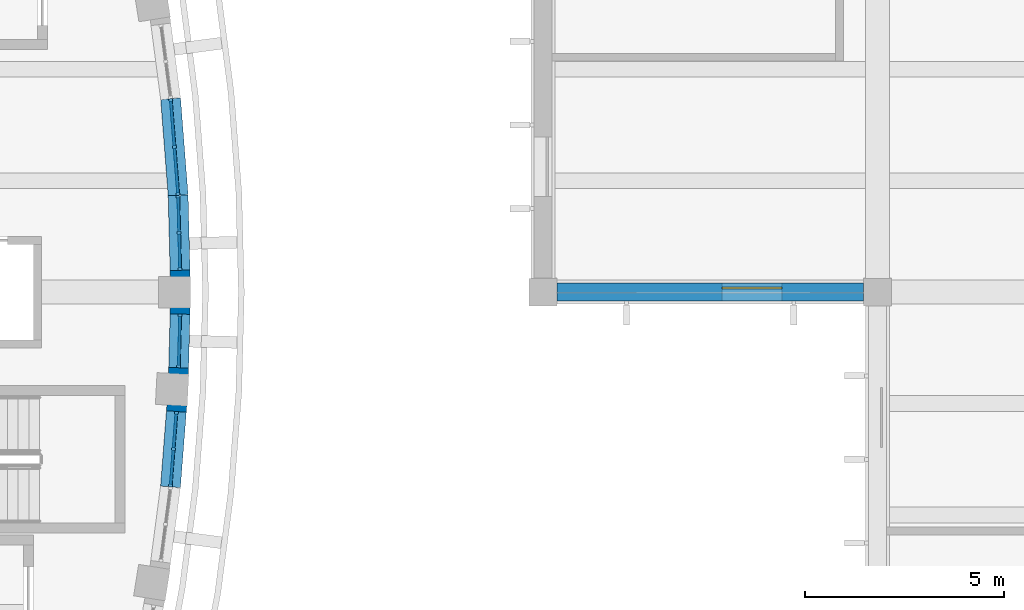
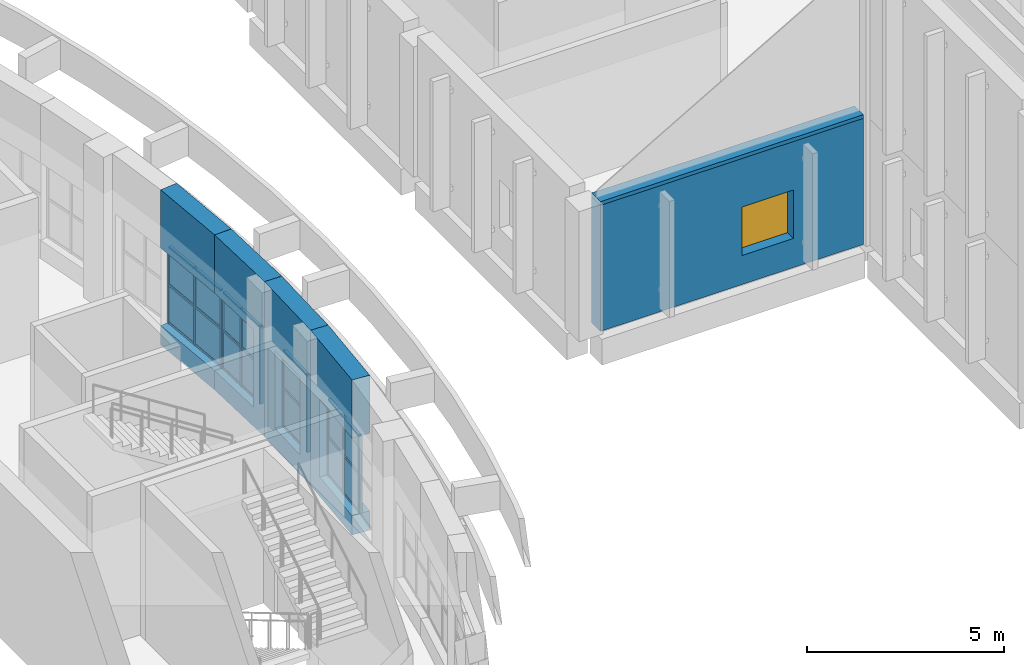
# One storey, part 42 of 79: 32 members, 14 plates, 6 walls, 1 window, 5 openings, 4 elements without a shape of their own.
"""IFC4 building model written with IfcOpenShell, lengths in metres."""

import ifcopenshell
import ifcopenshell.guid

model = None  # the IFC model being written
_history = None  # IfcOwnerHistory: only IFC2X3 demands one
_inside = {}  # id of a spatial element -> (the spatial element, [elements in it])
_under = {}  # id of a project, library or spatial element -> (it, [spatial elements below it])
_declared = {}  # id of a project -> (the project, [libraries it declares])
_typed = {}  # id of a type object -> (the type object, [elements of that type])
_made_of = {}  # id of a material, layer set ... -> (it, [elements and type objects made of it])


def new_model(schema):
    """Start an empty IFC model of exactly this schema.

    Asked for "IFC4X3", IfcOpenShell would pick the latest addendum, in which some entities
    have other attributes; the version numbers below select the first issue.
    IFC2X3 requires an IfcOwnerHistory on every rooted entity: one is made here for all.
    """
    global model, _history
    if schema == "IFC4X3":
        model = ifcopenshell.file(schema_version=(4, 3, 0, 0))
    else:
        model = ifcopenshell.file(schema=schema)
    _inside.clear()
    _under.clear()
    _declared.clear()
    _typed.clear()
    _made_of.clear()
    _history = None
    if model.schema == "IFC2X3":
        org = make("IfcOrganization", Name="unknown")
        user = make(
            "IfcPersonAndOrganization",
            ThePerson=make("IfcPerson", FamilyName="unknown"),
            TheOrganization=org,
        )
        app = make(
            "IfcApplication",
            ApplicationDeveloper=org,
            Version="unknown",
            ApplicationFullName="unknown",
            ApplicationIdentifier="unknown",
        )
        _history = make(
            "IfcOwnerHistory",
            OwningUser=user,
            OwningApplication=app,
            ChangeAction="ADDED",
            CreationDate=0,
        )
    return model


def make(cls, **values):
    """One entity of the class cls with the attributes given. An attribute that is None is left unset."""
    return model.create_entity(
        cls, **{name: value for name, value in values.items() if value is not None}
    )


def rooted(cls, **values):
    """An entity with a GlobalId (a new one), such as an element, a storey or a relation."""
    return make(cls, GlobalId=ifcopenshell.guid.new(), OwnerHistory=_history, **values)


def si_unit(unit_type, name, prefix=None):
    """IfcSIUnit, for example si_unit("LENGTHUNIT", "METRE", prefix="MILLI")."""
    return make("IfcSIUnit", UnitType=unit_type, Prefix=prefix, Name=name)


def assignment(units):
    """IfcUnitAssignment: the units of a project."""
    return None if units is None else make("IfcUnitAssignment", Units=units)


def point(xyz):
    """IfcCartesianPoint."""
    return None if xyz is None else make("IfcCartesianPoint", Coordinates=xyz)


def direction(xyz):
    """IfcDirection."""
    return None if xyz is None else make("IfcDirection", DirectionRatios=xyz)


def frame(location, z_axis=None, x_axis=None):
    """IfcAxis2Placement3D, a coordinate frame: its origin and axes. An axis left out is left unset."""
    return make(
        "IfcAxis2Placement3D",
        Location=point(location),
        Axis=direction(z_axis),
        RefDirection=direction(x_axis),
    )


def frame_2d(location, x_axis=None):
    """IfcAxis2Placement2D, a coordinate frame in the plane: its origin and x axis."""
    return make(
        "IfcAxis2Placement2D", Location=point(location), RefDirection=direction(x_axis)
    )


def origin():
    """The frame at (0, 0, 0) with its axes left unset."""
    return frame((0.0, 0.0, 0.0))


def origin_2d():
    """The frame at (0, 0) in the plane with its x axis left unset."""
    return frame_2d((0.0, 0.0))


def place(relative_to, where):
    """IfcLocalPlacement: puts the frame where relative to a parent placement (None: the world)."""
    return make(
        "IfcLocalPlacement", PlacementRelTo=relative_to, RelativePlacement=where
    )


def context(
    kind, dimensions, precision=None, world=None, true_north=None, identifier=None
):
    """IfcGeometricRepresentationContext, for example the 3D "Model" context."""
    return make(
        "IfcGeometricRepresentationContext",
        ContextIdentifier=identifier,
        ContextType=kind,
        CoordinateSpaceDimension=dimensions,
        Precision=precision,
        WorldCoordinateSystem=world,
        TrueNorth=true_north,
    )


def subcontext(parent, identifier, kind, view, scale=None):
    """IfcGeometricRepresentationSubContext, for example "Body" below "Model"."""
    return make(
        "IfcGeometricRepresentationSubContext",
        ContextIdentifier=identifier,
        ContextType=kind,
        ParentContext=parent,
        TargetScale=scale,
        TargetView=view,
    )


def project(units=None, contexts=None):
    """IfcProject with its units and contexts."""
    return rooted(
        "IfcProject",
        Name="project",
        RepresentationContexts=contexts,
        UnitsInContext=assignment(units),
    )


def spatial(cls, under=None, at=None, **own):
    """A site, building, storey or space (cls), placed at a placement, below another one or the project."""
    s = rooted(cls, ObjectPlacement=at, **own)
    if under is not None:
        _under.setdefault(under.id(), (under, []))[1].append(s)
    return s


def profile(cls, at=None, kind="AREA", **sizes):
    """A parametric profile (cls). Its sizes go by their IFC names, for example OverallWidth=200.0."""
    return make(cls, ProfileType=kind, Position=at, **sizes)


def rectangle(**sizes):
    """IfcRectangleProfileDef."""
    return profile("IfcRectangleProfileDef", **sizes)


def extrude(swept, where, along, depth):
    """IfcExtrudedAreaSolid: the profile swept, set in the frame where, extruded along a direction by depth."""
    return make(
        "IfcExtrudedAreaSolid",
        SweptArea=swept,
        Position=where,
        ExtrudedDirection=direction(along),
        Depth=depth,
    )


def shape(context_of_items, identifier, shape_type, items):
    """IfcShapeRepresentation: the items that make up one representation, for example the "Body"."""
    return make(
        "IfcShapeRepresentation",
        ContextOfItems=context_of_items,
        RepresentationIdentifier=identifier,
        RepresentationType=shape_type,
        Items=items,
    )


def material(Name=None, Category=None):
    """IfcMaterial."""
    return make("IfcMaterial", Name=Name, Category=Category)


def layer(
    of_material, thickness, ventilated=None, Name=None, Category=None, Priority=None
):
    """IfcMaterialLayer: one layer of a wall or slab, of a material (None: an air gap)."""
    return make(
        "IfcMaterialLayer",
        Material=of_material,
        LayerThickness=thickness,
        IsVentilated=ventilated,
        Name=Name,
        Category=Category,
        Priority=Priority,
    )


def layer_set(layers, Name=None):
    """IfcMaterialLayerSet."""
    return make("IfcMaterialLayerSet", MaterialLayers=layers, LayerSetName=Name)


def material_profile(
    of_material, cross_section, Name=None, Category=None, Priority=None
):
    """IfcMaterialProfile: a cross section and its material."""
    return make(
        "IfcMaterialProfile",
        Name=Name,
        Material=of_material,
        Profile=cross_section,
        Priority=Priority,
        Category=Category,
    )


def profile_set(profiles, Name=None, composite=None):
    """IfcMaterialProfileSet."""
    return make(
        "IfcMaterialProfileSet",
        Name=Name,
        MaterialProfiles=profiles,
        CompositeProfile=composite,
    )


def made_of(thing, what):
    """Note that an element or type object is made of a material, layer set ...; save() writes the relation."""
    if what is not None:
        _made_of.setdefault(what.id(), (what, []))[1].append(thing)
    return thing


def type_object(cls, material=None, **own):
    """A type object (cls), such as IfcWallType, which elements share."""
    return made_of(rooted(cls, **own), material)


def element(
    cls,
    number,
    at=None,
    inside=None,
    cuts=None,
    type_object=None,
    material=None,
    context=None,
    identifier="Body",
    shape_type=None,
    held_by="IfcProductDefinitionShape",
    body=None,
    shapes=None,
    **own,
):
    """One element of the class cls, such as IfcWall. Its Tag is "e" and its number.

    at: its placement. inside: the storey or other place that contains it. cuts: it is an
    opening in that element (IfcRelVoidsElement). A single representation is given by context,
    identifier, shape_type and body (its items); several are given by shapes. held_by: the class
    of the entity that holds the representations. save() writes the other relations.
    """
    e = rooted(cls, Tag="e%d" % number, ObjectPlacement=at, **own)
    if body is not None:
        shapes = [shape(context, identifier, shape_type, body)]
    if shapes is not None:
        e.Representation = make(held_by, Representations=shapes)
    if inside is not None:
        _inside.setdefault(inside.id(), (inside, []))[1].append(e)
    if cuts is not None:
        rooted(
            "IfcRelVoidsElement", RelatingBuildingElement=cuts, RelatedOpeningElement=e
        )
    if type_object is not None:
        _typed.setdefault(type_object.id(), (type_object, []))[1].append(e)
    return made_of(e, material)


def fill(opening, filler):
    """IfcRelFillsElement: the door or window that sits in an opening."""
    return rooted(
        "IfcRelFillsElement",
        RelatingOpeningElement=opening,
        RelatedBuildingElement=filler,
    )


def aggregate(whole, parts):
    """IfcRelAggregates: a whole, such as a stair, and the parts it consists of."""
    return rooted("IfcRelAggregates", RelatingObject=whole, RelatedObjects=parts)


def save(model, path):
    """Write the relations noted so far, then the file.

    IfcRelAggregates (storeys below a building ...), IfcRelContainedInSpatialStructure (elements
    in a storey), IfcRelDefinesByType, IfcRelAssociatesMaterial and IfcRelDeclares: one each for
    every whole, place, type object, material and project.
    """
    for whole, parts in _under.values():
        aggregate(whole, parts)
    for where, things in _inside.values():
        rooted(
            "IfcRelContainedInSpatialStructure",
            RelatedElements=things,
            RelatingStructure=where,
        )
    for kind, things in _typed.values():
        rooted("IfcRelDefinesByType", RelatedObjects=things, RelatingType=kind)
    for what, things in _made_of.values():
        rooted("IfcRelAssociatesMaterial", RelatedObjects=things, RelatingMaterial=what)
    for by, libraries in _declared.values():
        rooted("IfcRelDeclares", RelatingContext=by, RelatedDefinitions=libraries)
    model.write(path)


model = new_model("IFC4")

# Units and contexts
model_context = context("Model", 3, precision=1e-05, world=origin(), true_north=direction((0.0, 1.0)))
body_context = subcontext(model_context, "Body", "Model", "MODEL_VIEW")
ifc_project = project(units=[si_unit("LENGTHUNIT", "METRE"), si_unit("AREAUNIT", "SQUARE_METRE"), si_unit("VOLUMEUNIT", "CUBIC_METRE"), si_unit("PLANEANGLEUNIT", "RADIAN"), si_unit("MASSUNIT", "GRAM", prefix="KILO")], contexts=[model_context])

# Site, building, storey
site_placement = place(None, origin())
site = spatial("IfcSite", under=ifc_project, at=site_placement, CompositionType="ELEMENT")
building_placement = place(site_placement, origin())
building = spatial("IfcBuilding", under=site, at=building_placement, Name="Larchfold Concert Hall", CompositionType="ELEMENT")
storey_placement = place(building_placement, frame((0.0, 0.0, 14.39990234375)))
storey = spatial("IfcBuildingStorey", under=building, at=storey_placement, Name="L03", CompositionType="ELEMENT", Elevation=14.39990234375)

# Curtain wall, members
ifc_material_1 = material(Name="Anodised graphite aluminium curtain wall", Category="aluminium")
ifc_layer_1 = layer(ifc_material_1, 0.10009765625)
ifc_layer_set_1 = layer_set([ifc_layer_1], Name="Anodised graphite aluminium curtain wall")
curtain_wall_type = type_object("IfcCurtainWallType", Name="Curtain wall GB", PredefinedType="NOTDEFINED", material=ifc_layer_set_1)
curtain_wall_1_placement = place(storey_placement, origin())
curtain_wall_1 = element("IfcCurtainWall", 1, at=curtain_wall_1_placement, inside=storey, type_object=curtain_wall_type, Name="Curtain wall CW0001", PredefinedType="NOTDEFINED")
ifc_material_2 = material(Name="Anodised graphite aluminium mullion", Category="aluminium")
ifc_material_profile_1 = material_profile(ifc_material_2, rectangle(XDim=0.10009765625, YDim=0.06005859375, at=origin_2d()))
ifc_profile_set_1 = profile_set([ifc_material_profile_1], Name="Anodised graphite aluminium mullion")
member_type_1 = type_object("IfcMemberType", Name="Aluminium mullion 60x100", PredefinedType="MULLION", material=ifc_profile_set_1)
member_1_placement = place(storey_placement, frame((67.085205078125, 85.18017578125, 0.60009765625), z_axis=(0.0, 0.0, 1.0), x_axis=(-0.999667330695, -0.025792013125, 0.0)))
member_1 = element("IfcMember", 2, at=member_1_placement, type_object=member_type_1, Name="CW0001 mullion 1", PredefinedType="MULLION", context=body_context, shape_type="SweptSolid", body=[
    extrude(rectangle(XDim=0.10009765625, YDim=0.06005859375, at=origin_2d()), origin(), (0.0, 0.0, 1.0), 2.39990234375),
])
member_2_placement = place(storey_placement, frame((67.061767578125, 86.091796875, 0.60009765625), z_axis=(0.0, 0.0, 1.0), x_axis=(-0.999667330695, -0.025792013125, 0.0)))
member_2 = element("IfcMember", 3, at=member_2_placement, type_object=member_type_1, Name="CW0001 mullion 2", PredefinedType="MULLION", context=body_context, shape_type="SweptSolid", body=[
    extrude(rectangle(XDim=0.10009765625, YDim=0.06005859375, at=origin_2d()), origin(), (0.0, 0.0, 1.0), 2.39990234375),
])
member_3_placement = place(storey_placement, frame((67.0380859375, 87.003173828125, 0.60009765625), z_axis=(0.0, 0.0, 1.0), x_axis=(-0.999667330695, -0.025792013125, 0.0)))
member_3 = element("IfcMember", 4, at=member_3_placement, type_object=member_type_1, Name="CW0001 mullion 3", PredefinedType="MULLION", context=body_context, shape_type="SweptSolid", body=[
    extrude(rectangle(XDim=0.10009765625, YDim=0.06005859375, at=origin_2d()), origin(), (0.0, 0.0, 1.0), 2.39990234375),
])

curtain_wall_2_placement = place(storey_placement, origin())
curtain_wall_2 = element("IfcCurtainWall", 5, at=curtain_wall_2_placement, inside=storey, type_object=curtain_wall_type, Name="Curtain wall CW0002", PredefinedType="NOTDEFINED")
member_4_placement = place(storey_placement, frame((67.034912109375, 87.063232421875, 0.60009765625), z_axis=(0.0, 0.0, 1.0), x_axis=(-0.99698922143, -0.077540262778, 0.0)))
member_4 = element("IfcMember", 6, at=member_4_placement, type_object=member_type_1, Name="CW0002 mullion 1", PredefinedType="MULLION", context=body_context, shape_type="SweptSolid", body=[
    extrude(rectangle(XDim=0.10009765625, YDim=0.06005859375, at=origin_2d()), origin(), (0.0, 0.0, 1.0), 2.39990234375),
])
member_5_placement = place(storey_placement, frame((66.94287109375, 88.24658203125, 0.60009765625), z_axis=(0.0, 0.0, 1.0), x_axis=(-0.99698922143, -0.077540262778, 0.0)))
member_5 = element("IfcMember", 7, at=member_5_placement, type_object=member_type_1, Name="CW0002 mullion 2", PredefinedType="MULLION", context=body_context, shape_type="SweptSolid", body=[
    extrude(rectangle(XDim=0.10009765625, YDim=0.06005859375, at=origin_2d()), origin(), (0.0, 0.0, 1.0), 2.39990234375),
])
member_6_placement = place(storey_placement, frame((66.85107421875, 89.4296875, 0.60009765625), z_axis=(0.0, 0.0, 1.0), x_axis=(-0.99698922143, -0.077540262778, 0.0)))
member_6 = element("IfcMember", 8, at=member_6_placement, type_object=member_type_1, Name="CW0002 mullion 3", PredefinedType="MULLION", context=body_context, shape_type="SweptSolid", body=[
    extrude(rectangle(XDim=0.10009765625, YDim=0.06005859375, at=origin_2d()), origin(), (0.0, 0.0, 1.0), 2.39990234375),
])

curtain_wall_3_placement = place(storey_placement, origin())
curtain_wall_3 = element("IfcCurtainWall", 9, at=curtain_wall_3_placement, inside=storey, type_object=curtain_wall_type, Name="Curtain wall CW0059", PredefinedType="NOTDEFINED")
member_7_placement = place(storey_placement, frame((66.847900390625, 79.740234375, 0.60009765625), z_axis=(0.0, 0.0, 1.0), x_axis=(-0.996949961427, 0.078043413628, 0.0)))
member_7 = element("IfcMember", 10, at=member_7_placement, type_object=member_type_1, Name="CW0059 mullion 1", PredefinedType="MULLION", context=body_context, shape_type="SweptSolid", body=[
    extrude(rectangle(XDim=0.10009765625, YDim=0.06005859375, at=origin_2d()), origin(), (0.0, 0.0, 1.0), 2.39990234375),
])
member_8_placement = place(storey_placement, frame((66.91943359375, 80.65673828125, 0.60009765625), z_axis=(0.0, 0.0, 1.0), x_axis=(-0.996949961427, 0.078043413628, 0.0)))
member_8 = element("IfcMember", 11, at=member_8_placement, type_object=member_type_1, Name="CW0059 mullion 2", PredefinedType="MULLION", context=body_context, shape_type="SweptSolid", body=[
    extrude(rectangle(XDim=0.10009765625, YDim=0.06005859375, at=origin_2d()), origin(), (0.0, 0.0, 1.0), 2.39990234375),
])
member_9_placement = place(storey_placement, frame((66.9912109375, 81.5732421875, 0.60009765625), z_axis=(0.0, 0.0, 1.0), x_axis=(-0.996949961427, 0.078043413628, 0.0)))
member_9 = element("IfcMember", 12, at=member_9_placement, type_object=member_type_1, Name="CW0059 mullion 3", PredefinedType="MULLION", context=body_context, shape_type="SweptSolid", body=[
    extrude(rectangle(XDim=0.10009765625, YDim=0.06005859375, at=origin_2d()), origin(), (0.0, 0.0, 1.0), 2.39990234375),
])

curtain_wall_4_placement = place(storey_placement, origin())
curtain_wall_4 = element("IfcCurtainWall", 13, at=curtain_wall_4_placement, inside=storey, type_object=curtain_wall_type, Name="Curtain wall CW0060", PredefinedType="NOTDEFINED")
member_10_placement = place(storey_placement, frame((67.051513671875, 82.73193359375, 0.60009765625), z_axis=(0.0, 0.0, 1.0), x_axis=(-0.999660155104, 0.026068645851, 0.0)))
member_10 = element("IfcMember", 14, at=member_10_placement, type_object=member_type_1, Name="CW0060 mullion 1", PredefinedType="MULLION", context=body_context, shape_type="SweptSolid", body=[
    extrude(rectangle(XDim=0.10009765625, YDim=0.06005859375, at=origin_2d()), origin(), (0.0, 0.0, 1.0), 2.39990234375),
])
member_11_placement = place(storey_placement, frame((67.085205078125, 84.02001953125, 0.60009765625), z_axis=(0.0, 0.0, 1.0), x_axis=(-0.999660155104, 0.026068645851, 0.0)))
member_11 = element("IfcMember", 15, at=member_11_placement, type_object=member_type_1, Name="CW0060 mullion 2", PredefinedType="MULLION", context=body_context, shape_type="SweptSolid", body=[
    extrude(rectangle(XDim=0.10009765625, YDim=0.06005859375, at=origin_2d()), origin(), (0.0, 0.0, 1.0), 2.39990234375),
])

# Member
ifc_material_3 = material(Name="Anodised graphite aluminium transom", Category="aluminium")
ifc_material_profile_2 = material_profile(ifc_material_3, rectangle(XDim=0.080078125, YDim=0.06005859375, at=origin_2d()))
ifc_profile_set_2 = profile_set([ifc_material_profile_2], Name="Anodised graphite aluminium transom")
member_type_2 = type_object("IfcMemberType", Name="Aluminium transom 60x80", PredefinedType="USERDEFINED", material=ifc_profile_set_2)
member_12_placement = place(storey_placement, frame((67.08447265625, 85.210205078125, 0.630126953125), z_axis=(-0.025794167076, 0.99966727512, 0.0), x_axis=(-0.99966727512, -0.025794167076, 0.0)))
member_12 = element("IfcMember", 16, at=member_12_placement, type_object=member_type_2, Name="CW0001 transom 1.1", ObjectType="TRANSOM", PredefinedType="USERDEFINED", context=body_context, shape_type="SweptSolid", body=[
    extrude(rectangle(XDim=0.080078125, YDim=0.06005859375, at=origin_2d()), origin(), (0.0, 0.0, 1.0), 0.851806640625),
])

member_13_placement = place(storey_placement, frame((67.08447265625, 85.210205078125, 1.800048828125), z_axis=(-0.025794167076, 0.99966727512, 0.0), x_axis=(-0.99966727512, -0.025794167076, 0.0)))
member_13 = element("IfcMember", 17, at=member_13_placement, type_object=member_type_2, Name="CW0001 transom 1.2", ObjectType="TRANSOM", PredefinedType="USERDEFINED", context=body_context, shape_type="SweptSolid", body=[
    extrude(rectangle(XDim=0.080078125, YDim=0.06005859375, at=origin_2d()), origin(), (0.0, 0.0, 1.0), 0.851806640625),
])

member_14_placement = place(storey_placement, frame((67.08447265625, 85.210205078125, 2.969970703125), z_axis=(-0.025794167076, 0.99966727512, 0.0), x_axis=(-0.99966727512, -0.025794167076, 0.0)))
member_14 = element("IfcMember", 18, at=member_14_placement, type_object=member_type_2, Name="CW0001 transom 1.3", ObjectType="TRANSOM", PredefinedType="USERDEFINED", context=body_context, shape_type="SweptSolid", body=[
    extrude(rectangle(XDim=0.080078125, YDim=0.06005859375, at=origin_2d()), origin(), (0.0, 0.0, 1.0), 0.851806640625),
])

member_15_placement = place(storey_placement, frame((67.060791015625, 86.12158203125, 0.630126953125), z_axis=(-0.025794167076, 0.99966727512, 0.0), x_axis=(-0.99966727512, -0.025794167076, 0.0)))
member_15 = element("IfcMember", 19, at=member_15_placement, type_object=member_type_2, Name="CW0001 transom 2.1", ObjectType="TRANSOM", PredefinedType="USERDEFINED", context=body_context, shape_type="SweptSolid", body=[
    extrude(rectangle(XDim=0.080078125, YDim=0.06005859375, at=origin_2d()), origin(), (0.0, 0.0, 1.0), 0.851806640625),
])

member_16_placement = place(storey_placement, frame((67.060791015625, 86.12158203125, 1.800048828125), z_axis=(-0.025794167076, 0.99966727512, 0.0), x_axis=(-0.99966727512, -0.025794167076, 0.0)))
member_16 = element("IfcMember", 20, at=member_16_placement, type_object=member_type_2, Name="CW0001 transom 2.2", ObjectType="TRANSOM", PredefinedType="USERDEFINED", context=body_context, shape_type="SweptSolid", body=[
    extrude(rectangle(XDim=0.080078125, YDim=0.06005859375, at=origin_2d()), origin(), (0.0, 0.0, 1.0), 0.851806640625),
])

member_17_placement = place(storey_placement, frame((67.060791015625, 86.12158203125, 2.969970703125), z_axis=(-0.025794167076, 0.99966727512, 0.0), x_axis=(-0.99966727512, -0.025794167076, 0.0)))
member_17 = element("IfcMember", 21, at=member_17_placement, type_object=member_type_2, Name="CW0001 transom 2.3", ObjectType="TRANSOM", PredefinedType="USERDEFINED", context=body_context, shape_type="SweptSolid", body=[
    extrude(rectangle(XDim=0.080078125, YDim=0.06005859375, at=origin_2d()), origin(), (0.0, 0.0, 1.0), 0.851806640625),
])

member_18_placement = place(storey_placement, frame((67.03271484375, 87.093017578125, 0.630126953125), z_axis=(-0.077557941975, 0.996987846283, 0.0), x_axis=(-0.996987846283, -0.077557941975, 0.0)))
member_18 = element("IfcMember", 22, at=member_18_placement, type_object=member_type_2, Name="CW0002 transom 1.1", ObjectType="TRANSOM", PredefinedType="USERDEFINED", context=body_context, shape_type="SweptSolid", body=[
    extrude(rectangle(XDim=0.080078125, YDim=0.06005859375, at=origin_2d()), origin(), (0.0, 0.0, 1.0), 1.126953125),
])

member_19_placement = place(storey_placement, frame((67.03271484375, 87.093017578125, 1.800048828125), z_axis=(-0.077557941975, 0.996987846283, 0.0), x_axis=(-0.996987846283, -0.077557941975, 0.0)))
member_19 = element("IfcMember", 23, at=member_19_placement, type_object=member_type_2, Name="CW0002 transom 1.2", ObjectType="TRANSOM", PredefinedType="USERDEFINED", context=body_context, shape_type="SweptSolid", body=[
    extrude(rectangle(XDim=0.080078125, YDim=0.06005859375, at=origin_2d()), origin(), (0.0, 0.0, 1.0), 1.126953125),
])

member_20_placement = place(storey_placement, frame((67.03271484375, 87.093017578125, 2.969970703125), z_axis=(-0.077557941975, 0.996987846283, 0.0), x_axis=(-0.996987846283, -0.077557941975, 0.0)))
member_20 = element("IfcMember", 24, at=member_20_placement, type_object=member_type_2, Name="CW0002 transom 1.3", ObjectType="TRANSOM", PredefinedType="USERDEFINED", context=body_context, shape_type="SweptSolid", body=[
    extrude(rectangle(XDim=0.080078125, YDim=0.06005859375, at=origin_2d()), origin(), (0.0, 0.0, 1.0), 1.126953125),
])

member_21_placement = place(storey_placement, frame((66.940673828125, 88.2763671875, 0.630126953125), z_axis=(-0.077557941975, 0.996987846283, 0.0), x_axis=(-0.996987846283, -0.077557941975, 0.0)))
member_21 = element("IfcMember", 25, at=member_21_placement, type_object=member_type_2, Name="CW0002 transom 2.1", ObjectType="TRANSOM", PredefinedType="USERDEFINED", context=body_context, shape_type="SweptSolid", body=[
    extrude(rectangle(XDim=0.080078125, YDim=0.06005859375, at=origin_2d()), origin(), (0.0, 0.0, 1.0), 1.126953125),
])

member_22_placement = place(storey_placement, frame((66.940673828125, 88.2763671875, 1.800048828125), z_axis=(-0.077557941975, 0.996987846283, 0.0), x_axis=(-0.996987846283, -0.077557941975, 0.0)))
member_22 = element("IfcMember", 26, at=member_22_placement, type_object=member_type_2, Name="CW0002 transom 2.2", ObjectType="TRANSOM", PredefinedType="USERDEFINED", context=body_context, shape_type="SweptSolid", body=[
    extrude(rectangle(XDim=0.080078125, YDim=0.06005859375, at=origin_2d()), origin(), (0.0, 0.0, 1.0), 1.126953125),
])

member_23_placement = place(storey_placement, frame((66.940673828125, 88.2763671875, 2.969970703125), z_axis=(-0.077557941975, 0.996987846283, 0.0), x_axis=(-0.996987846283, -0.077557941975, 0.0)))
member_23 = element("IfcMember", 27, at=member_23_placement, type_object=member_type_2, Name="CW0002 transom 2.3", ObjectType="TRANSOM", PredefinedType="USERDEFINED", context=body_context, shape_type="SweptSolid", body=[
    extrude(rectangle(XDim=0.080078125, YDim=0.06005859375, at=origin_2d()), origin(), (0.0, 0.0, 1.0), 1.126953125),
])

member_24_placement = place(storey_placement, frame((66.85009765625, 79.77001953125, 0.630126953125), z_axis=(0.078130341124, 0.99694315274, 0.0), x_axis=(-0.99694315274, 0.078130341124, 0.0)))
member_24 = element("IfcMember", 28, at=member_24_placement, type_object=member_type_2, Name="CW0059 transom 1.1", ObjectType="TRANSOM", PredefinedType="USERDEFINED", context=body_context, shape_type="SweptSolid", body=[
    extrude(rectangle(XDim=0.080078125, YDim=0.06005859375, at=origin_2d()), origin(), (0.0, 0.0, 1.0), 0.859375),
])

member_25_placement = place(storey_placement, frame((66.85009765625, 79.77001953125, 1.800048828125), z_axis=(0.078130341124, 0.99694315274, 0.0), x_axis=(-0.99694315274, 0.078130341124, 0.0)))
member_25 = element("IfcMember", 29, at=member_25_placement, type_object=member_type_2, Name="CW0059 transom 1.2", ObjectType="TRANSOM", PredefinedType="USERDEFINED", context=body_context, shape_type="SweptSolid", body=[
    extrude(rectangle(XDim=0.080078125, YDim=0.06005859375, at=origin_2d()), origin(), (0.0, 0.0, 1.0), 0.859375),
])

member_26_placement = place(storey_placement, frame((66.85009765625, 79.77001953125, 2.969970703125), z_axis=(0.078130341124, 0.99694315274, 0.0), x_axis=(-0.99694315274, 0.078130341124, 0.0)))
member_26 = element("IfcMember", 30, at=member_26_placement, type_object=member_type_2, Name="CW0059 transom 1.3", ObjectType="TRANSOM", PredefinedType="USERDEFINED", context=body_context, shape_type="SweptSolid", body=[
    extrude(rectangle(XDim=0.080078125, YDim=0.06005859375, at=origin_2d()), origin(), (0.0, 0.0, 1.0), 0.859375),
])

member_27_placement = place(storey_placement, frame((66.921875, 80.686767578125, 0.630126953125), z_axis=(0.078130341124, 0.99694315274, 0.0), x_axis=(-0.99694315274, 0.078130341124, 0.0)))
member_27 = element("IfcMember", 31, at=member_27_placement, type_object=member_type_2, Name="CW0059 transom 2.1", ObjectType="TRANSOM", PredefinedType="USERDEFINED", context=body_context, shape_type="SweptSolid", body=[
    extrude(rectangle(XDim=0.080078125, YDim=0.06005859375, at=origin_2d()), origin(), (0.0, 0.0, 1.0), 0.859375),
])

member_28_placement = place(storey_placement, frame((66.921875, 80.686767578125, 1.800048828125), z_axis=(0.078130341124, 0.99694315274, 0.0), x_axis=(-0.99694315274, 0.078130341124, 0.0)))
member_28 = element("IfcMember", 32, at=member_28_placement, type_object=member_type_2, Name="CW0059 transom 2.2", ObjectType="TRANSOM", PredefinedType="USERDEFINED", context=body_context, shape_type="SweptSolid", body=[
    extrude(rectangle(XDim=0.080078125, YDim=0.06005859375, at=origin_2d()), origin(), (0.0, 0.0, 1.0), 0.859375),
])

member_29_placement = place(storey_placement, frame((66.921875, 80.686767578125, 2.969970703125), z_axis=(0.078130341124, 0.99694315274, 0.0), x_axis=(-0.99694315274, 0.078130341124, 0.0)))
member_29 = element("IfcMember", 33, at=member_29_placement, type_object=member_type_2, Name="CW0059 transom 2.3", ObjectType="TRANSOM", PredefinedType="USERDEFINED", context=body_context, shape_type="SweptSolid", body=[
    extrude(rectangle(XDim=0.080078125, YDim=0.06005859375, at=origin_2d()), origin(), (0.0, 0.0, 1.0), 0.859375),
])

member_30_placement = place(storey_placement, frame((67.05224609375, 82.761962890625, 0.630126953125), z_axis=(0.026233513154, 0.999655842171, 0.0), x_axis=(-0.999655842171, 0.026233513154, 0.0)))
member_30 = element("IfcMember", 34, at=member_30_placement, type_object=member_type_2, Name="CW0060 transom 1.1", ObjectType="TRANSOM", PredefinedType="USERDEFINED", context=body_context, shape_type="SweptSolid", body=[
    extrude(rectangle(XDim=0.080078125, YDim=0.06005859375, at=origin_2d()), origin(), (0.0, 0.0, 1.0), 1.228515625),
])

member_31_placement = place(storey_placement, frame((67.05224609375, 82.761962890625, 1.800048828125), z_axis=(0.026233513154, 0.999655842171, 0.0), x_axis=(-0.999655842171, 0.026233513154, 0.0)))
member_31 = element("IfcMember", 35, at=member_31_placement, type_object=member_type_2, Name="CW0060 transom 1.2", ObjectType="TRANSOM", PredefinedType="USERDEFINED", context=body_context, shape_type="SweptSolid", body=[
    extrude(rectangle(XDim=0.080078125, YDim=0.06005859375, at=origin_2d()), origin(), (0.0, 0.0, 1.0), 1.228515625),
])

member_32_placement = place(storey_placement, frame((67.05224609375, 82.761962890625, 2.969970703125), z_axis=(0.026233513154, 0.999655842171, 0.0), x_axis=(-0.999655842171, 0.026233513154, 0.0)))
member_32 = element("IfcMember", 36, at=member_32_placement, type_object=member_type_2, Name="CW0060 transom 1.3", ObjectType="TRANSOM", PredefinedType="USERDEFINED", context=body_context, shape_type="SweptSolid", body=[
    extrude(rectangle(XDim=0.080078125, YDim=0.06005859375, at=origin_2d()), origin(), (0.0, 0.0, 1.0), 1.228515625),
])

# Plate
ifc_material_4 = material(Name="Insulated glazing unit, glass", Category="glass")
ifc_layer_2 = layer(ifc_material_4, 0.02392578125)
ifc_layer_set_2 = layer_set([ifc_layer_2], Name="Insulated glazing unit, glass")
plate_type_1 = type_object("IfcPlateType", Name="Glass panel 24", PredefinedType="CURTAIN_PANEL", material=ifc_layer_set_2)
plate_1_placement = place(storey_placement, frame((67.073486328125, 85.635986328125, 1.830078125), z_axis=(0.0, 0.0, 1.0), x_axis=(-0.025792013125, 0.999667330695, 0.0)))
plate_1 = element("IfcPlate", 37, at=plate_1_placement, type_object=plate_type_1, Name="CW0001 panel 1.2", PredefinedType="CURTAIN_PANEL", context=body_context, shape_type="SweptSolid", body=[
    extrude(rectangle(XDim=0.851806640625, YDim=0.02392578125, at=origin_2d()), origin(), (0.0, 0.0, 1.0), 1.10986328125),
])

plate_2_placement = place(storey_placement, frame((67.0498046875, 86.54736328125, 1.830078125), z_axis=(0.0, 0.0, 1.0), x_axis=(-0.025792013125, 0.999667330695, 0.0)))
plate_2 = element("IfcPlate", 38, at=plate_2_placement, type_object=plate_type_1, Name="CW0001 panel 2.2", PredefinedType="CURTAIN_PANEL", context=body_context, shape_type="SweptSolid", body=[
    extrude(rectangle(XDim=0.851806640625, YDim=0.02392578125, at=origin_2d()), origin(), (0.0, 0.0, 1.0), 1.10986328125),
])

plate_3_placement = place(storey_placement, frame((66.989013671875, 87.65478515625, 1.830078125), z_axis=(0.0, 0.0, 1.0), x_axis=(-0.077540262778, 0.99698922143, 0.0)))
plate_3 = element("IfcPlate", 39, at=plate_3_placement, type_object=plate_type_1, Name="CW0002 panel 1.2", PredefinedType="CURTAIN_PANEL", context=body_context, shape_type="SweptSolid", body=[
    extrude(rectangle(XDim=1.126953125, YDim=0.02392578125, at=origin_2d()), origin(), (0.0, 0.0, 1.0), 1.10986328125),
])

plate_4_placement = place(storey_placement, frame((66.89697265625, 88.838134765625, 1.830078125), z_axis=(0.0, 0.0, 1.0), x_axis=(-0.077540262778, 0.99698922143, 0.0)))
plate_4 = element("IfcPlate", 40, at=plate_4_placement, type_object=plate_type_1, Name="CW0002 panel 2.2", PredefinedType="CURTAIN_PANEL", context=body_context, shape_type="SweptSolid", body=[
    extrude(rectangle(XDim=1.126953125, YDim=0.02392578125, at=origin_2d()), origin(), (0.0, 0.0, 1.0), 1.10986328125),
])

plate_5_placement = place(storey_placement, frame((66.8837890625, 80.198486328125, 1.830078125), z_axis=(0.0, 0.0, 1.0), x_axis=(0.078043413628, 0.996949961427, 0.0)))
plate_5 = element("IfcPlate", 41, at=plate_5_placement, type_object=plate_type_1, Name="CW0059 panel 1.2", PredefinedType="CURTAIN_PANEL", context=body_context, shape_type="SweptSolid", body=[
    extrude(rectangle(XDim=0.859375, YDim=0.02392578125, at=origin_2d()), origin(), (0.0, 0.0, 1.0), 1.10986328125),
])

plate_6_placement = place(storey_placement, frame((66.955322265625, 81.114990234375, 1.830078125), z_axis=(0.0, 0.0, 1.0), x_axis=(0.078043413628, 0.996949961427, 0.0)))
plate_6 = element("IfcPlate", 42, at=plate_6_placement, type_object=plate_type_1, Name="CW0059 panel 2.2", PredefinedType="CURTAIN_PANEL", context=body_context, shape_type="SweptSolid", body=[
    extrude(rectangle(XDim=0.859375, YDim=0.02392578125, at=origin_2d()), origin(), (0.0, 0.0, 1.0), 1.10986328125),
])

plate_7_placement = place(storey_placement, frame((67.068359375, 83.3759765625, 1.830078125), z_axis=(0.0, 0.0, 1.0), x_axis=(0.026068645851, 0.999660155104, 0.0)))
plate_7 = element("IfcPlate", 43, at=plate_7_placement, type_object=plate_type_1, Name="CW0060 panel 1.2", PredefinedType="CURTAIN_PANEL", context=body_context, shape_type="SweptSolid", body=[
    extrude(rectangle(XDim=1.228515625, YDim=0.02392578125, at=origin_2d()), origin(), (0.0, 0.0, 1.0), 1.10986328125),
])

ifc_material_5 = material(Name="White insulated panel")
ifc_layer_3 = layer(ifc_material_5, 0.050048828125)
ifc_layer_set_3 = layer_set([ifc_layer_3], Name="White insulated panel")
plate_type_2 = type_object("IfcPlateType", Name="Insulated spandrel panel 50", PredefinedType="CURTAIN_PANEL", material=ifc_layer_set_3)
plate_8_placement = place(storey_placement, frame((67.073486328125, 85.635986328125, 0.66015625), z_axis=(0.0, 0.0, 1.0), x_axis=(-0.025792013125, 0.999667330695, 0.0)))
plate_8 = element("IfcPlate", 44, at=plate_8_placement, type_object=plate_type_2, Name="CW0001 panel 1.1", PredefinedType="CURTAIN_PANEL", context=body_context, shape_type="SweptSolid", body=[
    extrude(rectangle(XDim=0.851806640625, YDim=0.050048828125, at=origin_2d()), origin(), (0.0, 0.0, 1.0), 1.10986328125),
])

plate_9_placement = place(storey_placement, frame((67.0498046875, 86.54736328125, 0.66015625), z_axis=(0.0, 0.0, 1.0), x_axis=(-0.025792013125, 0.999667330695, 0.0)))
plate_9 = element("IfcPlate", 45, at=plate_9_placement, type_object=plate_type_2, Name="CW0001 panel 2.1", PredefinedType="CURTAIN_PANEL", context=body_context, shape_type="SweptSolid", body=[
    extrude(rectangle(XDim=0.851806640625, YDim=0.050048828125, at=origin_2d()), origin(), (0.0, 0.0, 1.0), 1.10986328125),
])

aggregate(curtain_wall_1, [member_1, member_2, member_3, member_12, member_13, member_14, plate_8, plate_1, member_15, member_16, member_17, plate_9, plate_2])

plate_10_placement = place(storey_placement, frame((66.989013671875, 87.65478515625, 0.66015625), z_axis=(0.0, 0.0, 1.0), x_axis=(-0.077540262778, 0.99698922143, 0.0)))
plate_10 = element("IfcPlate", 46, at=plate_10_placement, type_object=plate_type_2, Name="CW0002 panel 1.1", PredefinedType="CURTAIN_PANEL", context=body_context, shape_type="SweptSolid", body=[
    extrude(rectangle(XDim=1.126953125, YDim=0.050048828125, at=origin_2d()), origin(), (0.0, 0.0, 1.0), 1.10986328125),
])

plate_11_placement = place(storey_placement, frame((66.89697265625, 88.838134765625, 0.66015625), z_axis=(0.0, 0.0, 1.0), x_axis=(-0.077540262778, 0.99698922143, 0.0)))
plate_11 = element("IfcPlate", 47, at=plate_11_placement, type_object=plate_type_2, Name="CW0002 panel 2.1", PredefinedType="CURTAIN_PANEL", context=body_context, shape_type="SweptSolid", body=[
    extrude(rectangle(XDim=1.126953125, YDim=0.050048828125, at=origin_2d()), origin(), (0.0, 0.0, 1.0), 1.10986328125),
])

aggregate(curtain_wall_2, [member_4, member_5, member_6, member_18, member_19, member_20, plate_10, plate_3, member_21, member_22, member_23, plate_11, plate_4])

plate_12_placement = place(storey_placement, frame((66.8837890625, 80.198486328125, 0.66015625), z_axis=(0.0, 0.0, 1.0), x_axis=(0.078043413628, 0.996949961427, 0.0)))
plate_12 = element("IfcPlate", 48, at=plate_12_placement, type_object=plate_type_2, Name="CW0059 panel 1.1", PredefinedType="CURTAIN_PANEL", context=body_context, shape_type="SweptSolid", body=[
    extrude(rectangle(XDim=0.859375, YDim=0.050048828125, at=origin_2d()), origin(), (0.0, 0.0, 1.0), 1.10986328125),
])

plate_13_placement = place(storey_placement, frame((66.955322265625, 81.114990234375, 0.66015625), z_axis=(0.0, 0.0, 1.0), x_axis=(0.078043413628, 0.996949961427, 0.0)))
plate_13 = element("IfcPlate", 49, at=plate_13_placement, type_object=plate_type_2, Name="CW0059 panel 2.1", PredefinedType="CURTAIN_PANEL", context=body_context, shape_type="SweptSolid", body=[
    extrude(rectangle(XDim=0.859375, YDim=0.050048828125, at=origin_2d()), origin(), (0.0, 0.0, 1.0), 1.10986328125),
])

aggregate(curtain_wall_3, [member_7, member_8, member_9, member_24, member_25, member_26, plate_12, plate_5, member_27, member_28, member_29, plate_13, plate_6])

plate_14_placement = place(storey_placement, frame((67.068359375, 83.3759765625, 0.66015625), z_axis=(0.0, 0.0, 1.0), x_axis=(0.026068645851, 0.999660155104, 0.0)))
plate_14 = element("IfcPlate", 50, at=plate_14_placement, type_object=plate_type_2, Name="CW0060 panel 1.1", PredefinedType="CURTAIN_PANEL", context=body_context, shape_type="SweptSolid", body=[
    extrude(rectangle(XDim=1.228515625, YDim=0.050048828125, at=origin_2d()), origin(), (0.0, 0.0, 1.0), 1.10986328125),
])

aggregate(curtain_wall_4, [member_10, member_11, member_30, member_31, member_32, plate_14, plate_7])

# Wall, opening, window
ifc_material_6 = material(Name="Charred larch cladding on mineral wool and CLT", Category="wood")
ifc_layer_4 = layer(ifc_material_6, 0.449951171875)
ifc_layer_set_4 = layer_set([ifc_layer_4], Name="Charred larch cladding on mineral wool and CLT")
wall_type_1 = type_object("IfcWallType", Name="Charred larch infill wall 450", PredefinedType="SOLIDWALL", material=ifc_layer_set_4)
wall_1_placement = place(storey_placement, frame((76.550048828125, 84.60009765625, 0.0), z_axis=(0.0, 0.0, 1.0), x_axis=(1.0, 0.0, 0.0)))
wall_1 = element("IfcWall", 51, at=wall_1_placement, inside=storey, type_object=wall_type_1, Name="Infill wall W5101", PredefinedType="SOLIDWALL", context=body_context, shape_type="SweptSolid", body=[
    extrude(rectangle(XDim=7.699951171875, YDim=0.449951171875, at=frame_2d((3.85009765625, 0.0))), origin(), (0.0, 0.0, 1.0), 3.900146484375),
])
opening_1_placement = place(wall_1_placement, frame((4.14990234375, 0.0, 0.89990234375)))
opening_1 = element("IfcOpeningElement", 52, at=opening_1_placement, cuts=wall_1, Name="Opening WN-L03-055", PredefinedType="OPENING", context=body_context, shape_type="SweptSolid", body=[
    extrude(rectangle(XDim=1.5, YDim=1.5, at=frame_2d((0.75, 0.75))), frame((0.0, 0.23486328125, 0.0), z_axis=(0.0, -1.0, 0.0), x_axis=(1.0, 0.0, 0.0)), (0.0, 0.0, 1.0), 0.469970703125),
])
ifc_material_7 = material(Name="Anodised graphite aluminium frame with glass", Category="aluminium")
window_type = type_object("IfcWindowType", Name="Studio window 1500x1500", PartitioningType="DOUBLE_PANEL_VERTICAL", PredefinedType="WINDOW", material=ifc_material_7)
window_placement = place(opening_1_placement, origin())
window = element("IfcWindow", 53, at=window_placement, inside=storey, type_object=window_type, Name="Window WN-L03-055", OverallHeight=1.5, OverallWidth=1.5, PartitioningType="DOUBLE_PANEL_VERTICAL", PredefinedType="WINDOW", context=body_context, shape_type="SweptSolid", body=[
    extrude(rectangle(XDim=1.5, YDim=1.5, at=frame_2d((0.75, 0.75))), frame((0.0, 0.135009765625, 0.0), z_axis=(0.0, -1.0, 0.0), x_axis=(1.0, 0.0, 0.0)), (0.0, 0.0, 1.0), 0.06005859375),
])
fill(opening_1, window)

# Wall
wall_2_placement = place(storey_placement, frame((76.550048828125, 84.60009765625, 3.900146484375), z_axis=(0.0, 0.0, 1.0), x_axis=(1.0, 0.0, 0.0)))
element("IfcWall", 54, at=wall_2_placement, inside=storey, type_object=wall_type_1, Name="Infill wall W5205", PredefinedType="SOLIDWALL", context=body_context, shape_type="SweptSolid", body=[
    extrude(rectangle(XDim=7.699951171875, YDim=0.449951171875, at=frame_2d((3.85009765625, 0.0))), origin(), (0.0, 0.0, 1.0), 0.114501953125),
])

# Wall, opening
ifc_material_8 = material(Name="Concrete C30/37", Category="concrete")
ifc_layer_5 = layer(ifc_material_8, 0.5)
ifc_layer_set_5 = layer_set([ifc_layer_5], Name="Concrete C30/37")
wall_type_2 = type_object("IfcWallType", Name="Wall RC 500 drum facade", PredefinedType="SOLIDWALL", material=ifc_layer_set_5)
wall_3_placement = place(storey_placement, frame((67.10009765625, 84.60009765625, 0.0), z_axis=(0.0, 0.0, 1.0), x_axis=(-0.025779107921, 0.999667663574, 0.0)))
wall_3 = element("IfcWall", 55, at=wall_3_placement, inside=storey, type_object=wall_type_2, Name="Wall DW001", PredefinedType="SOLIDWALL", context=body_context, shape_type="SweptSolid", body=[
    extrude(rectangle(XDim=2.433837890625, YDim=0.5, at=frame_2d((1.216796875, 0.0))), origin(), (0.0, 0.0, 1.0), 4.800048828125),
])
opening_2_placement = place(wall_3_placement, frame((0.55029296875, 0.0, 0.60009765625)))
opening_2 = element("IfcOpeningElement", 56, at=opening_2_placement, cuts=wall_3, Name="Opening CW0001", PredefinedType="OPENING", context=body_context, shape_type="SweptSolid", body=[
    extrude(rectangle(XDim=1.8837890625, YDim=2.39990234375, at=frame_2d((0.94189453125, 1.199951171875))), frame((0.0, 0.260009765625, 0.0), z_axis=(0.0, -1.0, 0.0), x_axis=(1.0, 0.0, 0.0)), (0.0, 0.0, 1.0), 0.52001953125),
])

fill(opening_2, curtain_wall_1)

wall_4_placement = place(storey_placement, frame((67.037353515625, 87.033203125, 0.0), z_axis=(0.0, 0.0, 1.0), x_axis=(-0.077540262419, 0.996989221458, 0.0)))
wall_4 = element("IfcWall", 57, at=wall_4_placement, inside=storey, type_object=wall_type_2, Name="Wall DW002", PredefinedType="SOLIDWALL", context=body_context, shape_type="SweptSolid", body=[
    extrude(rectangle(XDim=2.433837890625, YDim=0.5, at=frame_2d((1.216796875, 0.0))), origin(), (0.0, 0.0, 1.0), 4.800048828125),
])
opening_3_placement = place(wall_4_placement, frame((0.0, 0.0, 0.60009765625)))
opening_3 = element("IfcOpeningElement", 58, at=opening_3_placement, cuts=wall_4, Name="Opening CW0002", PredefinedType="OPENING", context=body_context, shape_type="SweptSolid", body=[
    extrude(rectangle(XDim=2.433837890625, YDim=2.39990234375, at=frame_2d((1.216796875, 1.199951171875))), frame((0.0, 0.260009765625, 0.0), z_axis=(0.0, -1.0, 0.0), x_axis=(1.0, 0.0, 0.0)), (0.0, 0.0, 1.0), 0.52001953125),
])

fill(opening_3, curtain_wall_2)

wall_5_placement = place(storey_placement, frame((66.845458984375, 79.710205078125, 0.0), z_axis=(0.0, 0.0, 1.0), x_axis=(0.078053315948, 0.996949186202, 0.0)))
wall_5 = element("IfcWall", 59, at=wall_5_placement, inside=storey, type_object=wall_type_2, Name="Wall DW060", PredefinedType="SOLIDWALL", context=body_context, shape_type="SweptSolid", body=[
    extrude(rectangle(XDim=2.44921875, YDim=0.5, at=frame_2d((1.224609375, 0.0))), origin(), (0.0, 0.0, 1.0), 4.800048828125),
])
opening_4_placement = place(wall_5_placement, frame((0.0, 0.0, 0.60009765625)))
opening_4 = element("IfcOpeningElement", 60, at=opening_4_placement, cuts=wall_5, Name="Opening CW0059", PredefinedType="OPENING", context=body_context, shape_type="SweptSolid", body=[
    extrude(rectangle(XDim=1.89892578125, YDim=2.39990234375, at=frame_2d((0.949462890625, 1.199951171875))), frame((0.0, 0.260009765625, 0.0), z_axis=(0.0, -1.0, 0.0), x_axis=(1.0, 0.0, 0.0)), (0.0, 0.0, 1.0), 0.52001953125),
])

fill(opening_4, curtain_wall_3)

wall_6_placement = place(storey_placement, frame((67.03662109375, 82.15185546875, 0.0), z_axis=(0.0, 0.0, 1.0), x_axis=(0.02591869307, 0.999664054245, 0.0)))
wall_6 = element("IfcWall", 61, at=wall_6_placement, inside=storey, type_object=wall_type_2, Name="Wall DW061", PredefinedType="SOLIDWALL", context=body_context, shape_type="SweptSolid", body=[
    extrude(rectangle(XDim=2.448974609375, YDim=0.5, at=frame_2d((1.224609375, 0.0))), origin(), (0.0, 0.0, 1.0), 4.800048828125),
])
opening_5_placement = place(wall_6_placement, frame((0.55029296875, 0.0, 0.60009765625)))
opening_5 = element("IfcOpeningElement", 62, at=opening_5_placement, cuts=wall_6, Name="Opening CW0060", PredefinedType="OPENING", context=body_context, shape_type="SweptSolid", body=[
    extrude(rectangle(XDim=1.3486328125, YDim=2.39990234375, at=frame_2d((0.67431640625, 1.199951171875))), frame((0.0, 0.260009765625, 0.0), z_axis=(0.0, -1.0, 0.0), x_axis=(1.0, 0.0, 0.0)), (0.0, 0.0, 1.0), 0.52001953125),
])

fill(opening_5, curtain_wall_4)

save(model, "model.ifc")
